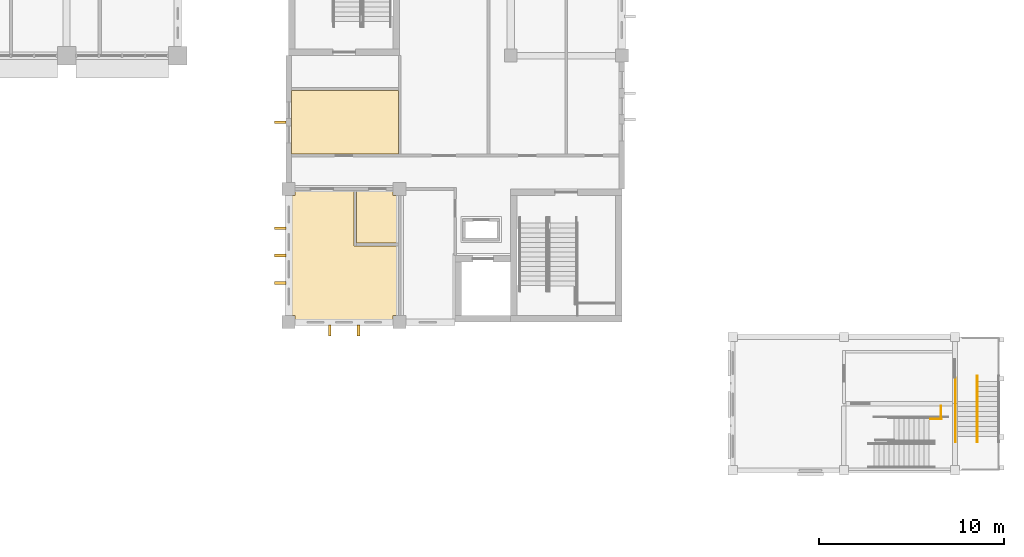
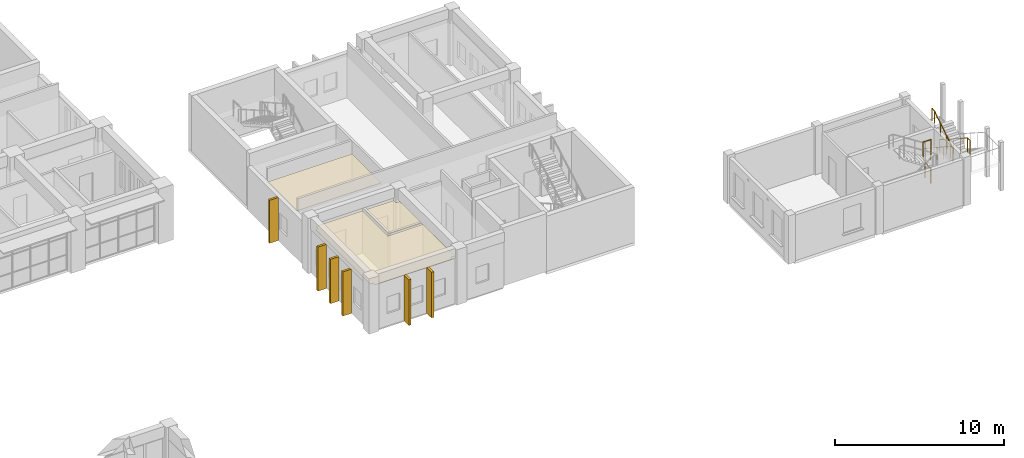
# One storey, part 87 of 92: 6 shading devices, 5 railings, 3 coverings.
"""IFC4 building model written with IfcOpenShell, lengths in metres."""

from ifc_helpers import new_model, si_unit, direction, frame, origin, origin_2d, place, context, subcontext, project, spatial, polyline, rectangle, circle, outline, extrude, material, layer, layer_set, type_object, element, save


model = new_model("IFC4")

# Units and contexts
model_context = context("Model", 3, precision=1e-05, world=origin(), true_north=direction((0.0, 1.0)))
body_context = subcontext(model_context, "Body", "Model", "MODEL_VIEW")
ifc_project = project(units=[si_unit("LENGTHUNIT", "METRE"), si_unit("AREAUNIT", "SQUARE_METRE"), si_unit("VOLUMEUNIT", "CUBIC_METRE"), si_unit("PLANEANGLEUNIT", "RADIAN"), si_unit("MASSUNIT", "GRAM", prefix="KILO")], contexts=[model_context])

# Site, building, storey
site_placement = place(None, origin())
site = spatial("IfcSite", under=ifc_project, at=site_placement, CompositionType="ELEMENT")
building_placement = place(site_placement, origin())
building = spatial("IfcBuilding", under=site, at=building_placement, Name="Laocheng Heights Fire and Rescue Headquarters", CompositionType="ELEMENT")
storey_placement = place(building_placement, frame((0.0, 0.0, 12.60009765625)))
storey = spatial("IfcBuildingStorey", under=building, at=storey_placement, Name="L03", CompositionType="ELEMENT", Elevation=12.60009765625)

# Shading devices
ifc_material_1 = material(Name="Precast concrete C40/50, light warm grey", Category="concrete")
ifc_layer_1 = layer(ifc_material_1, 0.14990234375)
ifc_layer_set_1 = layer_set([ifc_layer_1], Name="Precast concrete C40/50, light warm grey")
shading_device_type = type_object("IfcShadingDeviceType", Name="PRECAST VERTICAL FIN 150 x 600 DORMITORY", PredefinedType="AWNING", material=ifc_layer_set_1)
for number, where, z_axis, x_axis, name in (
    (1, (89.550048828125, 38.1201171875, 0.0), (0.0, 0.0, 1.0), (1.0, 0.0, 0.0), "FIN CREW L03"),
    (2, (89.550048828125, 39.60009765625, 0.0), (0.0, 0.0, 1.0), (1.0, 0.0, 0.0), "FIN CREW L03"),
    (3, (89.550048828125, 41.080078125, 0.0), (0.0, 0.0, 1.0), (1.0, 0.0, 0.0), "FIN CREW L03"),
):
    element("IfcShadingDevice", number, at=place(storey_placement, frame(where, z_axis=z_axis, x_axis=x_axis)), inside=storey, type_object=shading_device_type, Name=name, PredefinedType="AWNING", context=body_context, shape_type="SweptSolid", body=[
        extrude(rectangle(XDim=0.60009765625, YDim=0.14990234375, at=origin_2d()), origin(), (0.0, 0.0, 1.0), 3.199951171875),
    ])
shading_device_placement = place(storey_placement, frame((89.550048828125, 46.800048828125, -0.000244140625), z_axis=(0.0, 0.0, 1.0), x_axis=(1.0, 0.0, 0.0)))
element("IfcShadingDevice", 4, at=shading_device_placement, inside=storey, type_object=shading_device_type, Name="FIN CREW L03", PredefinedType="AWNING", context=body_context, shape_type="SweptSolid", body=[
    extrude(rectangle(XDim=0.60009765625, YDim=0.14990234375, at=origin_2d()), origin(), (0.0, 0.0, 1.0), 3.10009765625),
])
for number, where, z_axis, x_axis, name in (
    (5, (92.22509765625, 35.550048828125, 0.0), (0.0, 0.0, 1.0), (1.0, 0.0, 0.0), "FIN CREW L03"),
    (6, (93.77490234375, 35.550048828125, 0.0), (0.0, 0.0, 1.0), (1.0, 0.0, 0.0), "FIN CREW L03"),
):
    element("IfcShadingDevice", number, at=place(storey_placement, frame(where, z_axis=z_axis, x_axis=x_axis)), inside=storey, type_object=shading_device_type, Name=name, PredefinedType="AWNING", context=body_context, shape_type="SweptSolid", body=[
        extrude(rectangle(XDim=0.14990234375, YDim=0.60009765625, at=origin_2d()), origin(), (0.0, 0.0, 1.0), 3.300048828125),
    ])

# Railings
ifc_material_2 = material(Name="Steel Q355B", Category="steel")
railing_type_1 = type_object("IfcRailingType", Name="STAIR GUARD 1100", PredefinedType="GUARDRAIL", material=ifc_material_2)
railing_1_placement = place(storey_placement, frame((125.2451171875, 30.800048828125, 1.39990234375)))
element("IfcRailing", 7, at=railing_1_placement, inside=storey, type_object=railing_type_1, Name="Stair T1 guard F5 tongue edge", PredefinedType="GUARDRAIL", context=body_context, shape_type="SweptSolid", body=[
    extrude(circle(Radius=0.02392578125, at=origin_2d()), frame((0.0, 0.0, 1.076171875), z_axis=(0.0, 1.0, 0.0), x_axis=(-1.0, 0.0, 0.0)), (0.0, 0.0, 1.0), 0.675048828125),
    extrude(circle(Radius=0.02099609375, at=origin_2d()), origin(), (0.0, 0.0, 1.0), 1.052001953125),
    extrude(circle(Radius=0.02099609375, at=origin_2d()), frame((0.0, 0.675048828125, 0.0)), (0.0, 0.0, 1.0), 1.052001953125),
])
railing_2_placement = place(storey_placement, frame((125.2548828125, 30.77001953125, 3.5)))
element("IfcRailing", 8, at=railing_2_placement, inside=storey, type_object=railing_type_1, Name="Stair T1 guard F5 half landing", PredefinedType="GUARDRAIL", context=body_context, shape_type="SweptSolid", body=[
    extrude(circle(Radius=0.02392578125, at=origin_2d()), frame((0.0, 0.0, 1.076171875), z_axis=(-1.0, 0.0, 0.0), x_axis=(0.0, -1.0, 0.0)), (0.0, 0.0, 1.0), 0.559814453125),
    extrude(circle(Radius=0.02099609375, at=origin_2d()), origin(), (0.0, 0.0, 1.0), 1.052001953125),
    extrude(circle(Radius=0.02099609375, at=origin_2d()), frame((-0.559814453125, 0.0, 0.0)), (0.0, 0.0, 1.0), 1.052001953125),
])
railing_3_placement = place(storey_placement, frame((127.199951171875, 33.10009765625, 1.39990234375)))
element("IfcRailing", 9, at=railing_3_placement, inside=storey, type_object=railing_type_1, Name="Stair T2 guard F5 2", PredefinedType="GUARDRAIL", context=body_context, shape_type="SweptSolid", body=[
    extrude(circle(Radius=0.02392578125, at=origin_2d()), frame((0.0, 0.0, 1.076171875), z_axis=(0.0, -0.841419242076, 0.540382881913), x_axis=(1.0, 0.0, 0.0)), (0.0, 0.0, 1.0), 3.88623046875),
    extrude(circle(Radius=0.02392578125, at=origin_2d()), frame((0.0, -3.27001953125, 3.17626953125), z_axis=(0.0, -1.0, 0.0), x_axis=(1.0, 0.0, 0.0)), (0.0, 0.0, 1.0), 0.300048828125),
    extrude(circle(Radius=0.02099609375, at=origin_2d()), origin(), (0.0, 0.0, 1.0), 1.052001953125),
    extrude(circle(Radius=0.02099609375, at=origin_2d()), frame((0.0, -0.8173828125, 0.52490234375)), (0.0, 0.0, 1.0), 1.052001953125),
    extrude(circle(Radius=0.02099609375, at=origin_2d()), frame((0.0, -1.635009765625, 1.050048828125)), (0.0, 0.0, 1.0), 1.052001953125),
    extrude(circle(Radius=0.02099609375, at=origin_2d()), frame((0.0, -2.45263671875, 1.5751953125)), (0.0, 0.0, 1.0), 1.052001953125),
    extrude(circle(Radius=0.02099609375, at=origin_2d()), frame((0.0, -3.27001953125, 2.10009765625)), (0.0, 0.0, 1.0), 1.052001953125),
    extrude(circle(Radius=0.02099609375, at=origin_2d()), frame((0.0, -3.570068359375, 2.10009765625)), (0.0, 0.0, 1.0), 1.052001953125),
])
ifc_material_3 = material(Name="Steel Q355B", Category="steel")
railing_type_2 = type_object("IfcRailingType", Name="STAIR HANDRAIL 920", PredefinedType="HANDRAIL", material=ifc_material_3)
railing_4_placement = place(storey_placement, frame((126.030029296875, 32.97998046875, 1.39990234375)))
element("IfcRailing", 10, at=railing_4_placement, inside=storey, type_object=railing_type_2, Name="Stair T2 handrail F5 3", PredefinedType="HANDRAIL", context=body_context, shape_type="SweptSolid", body=[
    extrude(circle(Radius=0.02392578125, at=origin_2d()), frame((0.0, 0.0, 0.89599609375), z_axis=(0.0, -0.832030451194, 0.554729959787), x_axis=(1.0, 0.0, 0.0)), (0.0, 0.0, 1.0), 3.785888671875),
    extrude(circle(Radius=0.02392578125, at=origin_2d()), frame((0.0, -3.14990234375, 2.99609375), z_axis=(0.0, -1.0, 0.0), x_axis=(1.0, 0.0, 0.0)), (0.0, 0.0, 1.0), 0.300048828125),
    extrude(circle(Radius=0.02099609375, at=origin_2d()), origin(), (0.0, 0.0, 1.0), 0.871826171875),
    extrude(circle(Radius=0.02099609375, at=origin_2d()), frame((0.0, -0.78759765625, 0.52490234375)), (0.0, 0.0, 1.0), 0.871826171875),
    extrude(circle(Radius=0.02099609375, at=origin_2d()), frame((0.0, -1.574951171875, 1.050048828125)), (0.0, 0.0, 1.0), 0.871826171875),
    extrude(circle(Radius=0.02099609375, at=origin_2d()), frame((0.0, -2.3623046875, 1.5751953125)), (0.0, 0.0, 1.0), 0.871826171875),
    extrude(circle(Radius=0.02099609375, at=origin_2d()), frame((0.0, -3.14990234375, 2.10009765625)), (0.0, 0.0, 1.0), 0.871826171875),
    extrude(circle(Radius=0.02099609375, at=origin_2d()), frame((0.0, -3.449951171875, 2.10009765625)), (0.0, 0.0, 1.0), 0.871826171875),
])
railing_5_placement = place(storey_placement, frame((126.030029296875, 29.530029296875, 3.5)))
element("IfcRailing", 11, at=railing_5_placement, inside=storey, type_object=railing_type_2, Name="Stair T2 handrail F5 4", PredefinedType="HANDRAIL", context=body_context, shape_type="SweptSolid", body=[
    extrude(circle(Radius=0.02392578125, at=origin_2d()), frame((0.0, 0.0, 0.89599609375), z_axis=(0.0, 0.842561281479, 0.538600489186), x_axis=(-1.0, 0.0, 0.0)), (0.0, 0.0, 1.0), 2.59912109375),
    extrude(circle(Radius=0.02392578125, at=origin_2d()), frame((0.0, 2.18994140625, 2.2958984375), z_axis=(0.0, 1.0, 0.0), x_axis=(-1.0, 0.0, 0.0)), (0.0, 0.0, 1.0), 0.300048828125),
    extrude(circle(Radius=0.02099609375, at=origin_2d()), origin(), (0.0, 0.0, 1.0), 0.871826171875),
    extrude(circle(Radius=0.02099609375, at=origin_2d()), frame((0.0, 0.72998046875, 0.466552734375)), (0.0, 0.0, 1.0), 0.871826171875),
    extrude(circle(Radius=0.02099609375, at=origin_2d()), frame((0.0, 1.4599609375, 0.933349609375)), (0.0, 0.0, 1.0), 0.871826171875),
    extrude(circle(Radius=0.02099609375, at=origin_2d()), frame((0.0, 2.18994140625, 1.39990234375)), (0.0, 0.0, 1.0), 0.871826171875),
    extrude(circle(Radius=0.02099609375, at=origin_2d()), frame((0.0, 2.489990234375, 1.39990234375)), (0.0, 0.0, 1.0), 0.871826171875),
])

# Coverings
ifc_material_4 = material(Name="Mineral fibre ceiling tile")
ifc_layer_2 = layer(ifc_material_4, 0.0400390625)
ifc_layer_set_2 = layer_set([ifc_layer_2], Name="Mineral fibre ceiling tile")
covering_type = type_object("IfcCoveringType", Name="SUSPENDED CEILING MINERAL FIBRE TILE CREW WING", PredefinedType="CEILING", material=ifc_layer_set_2)
covering_1_placement = place(storey_placement, frame((0.0, 0.0, 3.0)))
element("IfcCovering", 12, at=covering_1_placement, inside=storey, type_object=covering_type, Name="Duty Lounge ceiling", PredefinedType="CEILING", context=body_context, shape_type="SweptSolid", body=[
    extrude(outline(polyline([(95.925048828125, 45.074951171875), (90.14990234375, 45.074951171875), (90.14990234375, 48.52490234375), (95.925048828125, 48.52490234375), (95.925048828125, 45.074951171875)])), origin(), (0.0, 0.0, 1.0), 0.039794921875),
])
covering_2_placement = place(storey_placement, frame((0.0, 0.0, 3.0)))
element("IfcCovering", 13, at=covering_2_placement, inside=storey, type_object=covering_type, Name="Equipment Training Room ceiling", PredefinedType="CEILING", context=body_context, shape_type="SweptSolid", body=[
    extrude(outline(polyline([(90.35009765625, 36.14990234375), (90.35009765625, 36.35009765625), (90.14990234375, 36.35009765625), (90.14990234375, 42.85009765625), (90.35009765625, 42.85009765625), (90.35009765625, 43.125), (93.52490234375, 43.125), (93.52490234375, 40.125), (93.675048828125, 40.125), (95.925048828125, 40.125), (95.925048828125, 36.35009765625), (95.64990234375, 36.35009765625), (95.64990234375, 36.14990234375), (90.35009765625, 36.14990234375)])), origin(), (0.0, 0.0, 1.0), 0.039794921875),
])
covering_3_placement = place(storey_placement, frame((0.0, 0.0, 3.0)))
element("IfcCovering", 14, at=covering_3_placement, inside=storey, type_object=covering_type, Name="Accessible WC ceiling", PredefinedType="CEILING", context=body_context, shape_type="SweptSolid", body=[
    extrude(outline(polyline([(95.64990234375, 43.125), (95.64990234375, 42.85009765625), (95.925048828125, 42.85009765625), (95.925048828125, 40.27490234375), (93.675048828125, 40.27490234375), (93.675048828125, 43.125), (95.64990234375, 43.125)])), origin(), (0.0, 0.0, 1.0), 0.039794921875),
])

save(model, "model.ifc")
